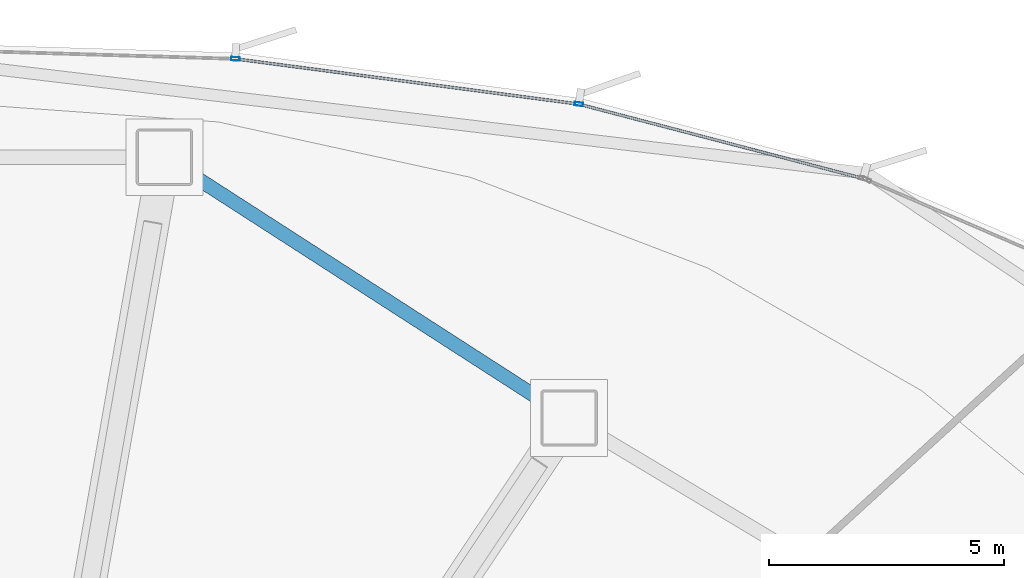
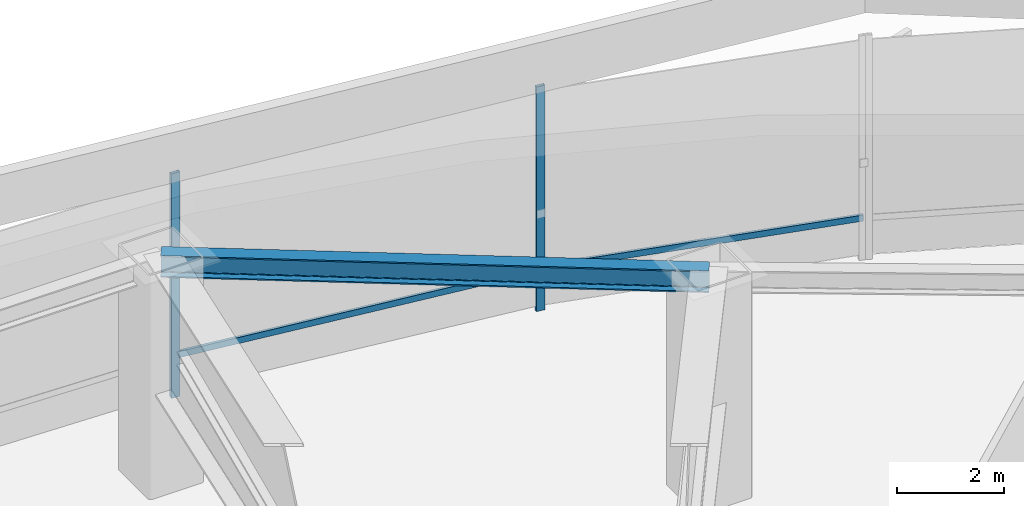
# One storey, part 17 of 36: 4 members, 1 beam, 1 element without a shape of its own.
"""IFC4 building model written with IfcOpenShell, lengths in metres."""

from ifc_helpers import new_model, si_unit, direction, frame, origin, origin_2d, place, context, subcontext, project, spatial, hollow_rectangle, i_section, extrude, source, transform, mapped, material, layer, layer_set, material_profile, profile_set, type_object, element, aggregate, save


model = new_model("IFC4")

# Units and contexts
model_context = context("Model", 3, precision=1e-05, world=origin(), true_north=direction((0.0, 1.0)))
body_context = subcontext(model_context, "Body", "Model", "MODEL_VIEW")
ifc_project = project(units=[si_unit("LENGTHUNIT", "METRE"), si_unit("AREAUNIT", "SQUARE_METRE"), si_unit("VOLUMEUNIT", "CUBIC_METRE"), si_unit("PLANEANGLEUNIT", "RADIAN"), si_unit("MASSUNIT", "GRAM", prefix="KILO"), si_unit("THERMODYNAMICTEMPERATUREUNIT", "KELVIN")], contexts=[model_context])

# Site, building, storey
site_placement = place(None, origin())
site = spatial("IfcSite", under=ifc_project, at=site_placement, CompositionType="ELEMENT")
building_placement = place(site_placement, origin())
building = spatial("IfcBuilding", under=site, at=building_placement, Name="Kethvar Cultural Tower", CompositionType="ELEMENT")
storey_placement = place(building_placement, frame((0.0, 0.0, 24.0)))
storey = spatial("IfcBuildingStorey", under=building, at=storey_placement, Name="L05", CompositionType="ELEMENT", Elevation=24.0)

# Beam
ifc_material_1 = material(Name="Steel S355J2", Category="steel")
ifc_material_profile_1 = material_profile(ifc_material_1, i_section(OverallWidth=0.300048828125, OverallDepth=0.5, WebThickness=0.014404296875, FlangeThickness=0.028076171875, FilletRadius=0.027099609375, at=origin_2d()), Name="Steel S355J2 — HEB500")
ifc_profile_set_1 = profile_set([ifc_material_profile_1], Name="Steel S355J2 — HEB500")
beam_type = type_object("IfcBeamType", Name="BM-SP500", PredefinedType="SPANDREL", material=ifc_profile_set_1)
shared_shape_1 = source(origin(), body_context, "Body", "SweptSolid", [
    extrude(i_section(OverallWidth=0.300048828125, OverallDepth=0.5, WebThickness=0.014404296875, FlangeThickness=0.028076171875, FilletRadius=0.027099609375, at=origin_2d()), origin(), (0.0, 0.0, 1.0), 10.260009765625),
])
beam_placement = place(storey_placement, frame((59.824951171875, 47.293212890625, 4.865966796875), z_axis=(-0.840635315951, 0.541601574569, 0.0), x_axis=(-0.541601574569, -0.840635315951, 0.0)))
element("IfcBeam", 1, at=beam_placement, inside=storey, type_object=beam_type, Name="L05 Podium Ring Beam 03", PredefinedType="SPANDREL", context=body_context, shape_type="MappedRepresentation", body=[
    mapped(shared_shape_1, transform((0.0, 0.0, 0.0), scale=1.0)),
])

# Curtain wall, members
ifc_material_2 = material(Name="Aluminium 6063-T6", Category="aluminium")
ifc_layer = layer(ifc_material_2, 0.179931640625, Name="Aluminium 6063-T6", Category="aluminium")
ifc_layer_set = layer_set([ifc_layer], Name="Aluminium 6063-T6 (180 mm)")
curtain_wall_type = type_object("IfcCurtainWallType", Name="CW-SYS-01-POD", PredefinedType="NOTDEFINED", material=ifc_layer_set)
curtain_wall_placement = place(storey_placement, origin())
curtain_wall = element("IfcCurtainWall", 2, at=curtain_wall_placement, inside=storey, type_object=curtain_wall_type, Name="L05 Curtain Wall Run 02", PredefinedType="NOTDEFINED")
ifc_material_profile_2 = material_profile(ifc_material_2, hollow_rectangle(XDim=0.06005859375, YDim=0.139892578125, WallThickness=0.0048828125, at=origin_2d()), Name="Aluminium 6063-T6 — RHS140x60x5")
ifc_profile_set_2 = profile_set([ifc_material_profile_2], Name="Aluminium 6063-T6 — RHS140x60x5")
member_type_1 = type_object("IfcMemberType", Name="CW-SYS-01-POD-TRN", PredefinedType="USERDEFINED", material=ifc_profile_set_2)
shared_shape_2 = source(origin(), body_context, "Body", "SweptSolid", [
    extrude(hollow_rectangle(XDim=0.06005859375, YDim=0.139892578125, WallThickness=0.0048828125, at=origin_2d()), origin(), (0.0, 0.0, 1.0), 7.28955078125),
])
member_1_placement = place(storey_placement, frame((59.9794921875, 53.98876953125, 0.949951171875), z_axis=(-0.9914326226, 0.13061912128, 0.0), x_axis=(-0.13061912128, -0.9914326226, 0.0)))
member_1 = element("IfcMember", 3, at=member_1_placement, type_object=member_type_1, Name="CW-L05-R02 Transom 2", ObjectType="TRANSOM", PredefinedType="USERDEFINED", context=body_context, shape_type="MappedRepresentation", body=[
    mapped(shared_shape_2, transform((0.0, 0.0, 0.0), scale=1.0)),
])
shared_shape_3 = source(origin(), body_context, "Body", "SweptSolid", [
    extrude(hollow_rectangle(XDim=0.06005859375, YDim=0.139892578125, WallThickness=0.0048828125, at=origin_2d()), origin(), (0.0, 0.0, 1.0), 6.221435546875),
])
member_2_placement = place(storey_placement, frame((66.088134765625, 52.39697265625, 0.949951171875), z_axis=(-0.967458727109, 0.253028874519, 0.0), x_axis=(-0.253028874519, -0.967458727109, 0.0)))
member_2 = element("IfcMember", 4, at=member_2_placement, type_object=member_type_1, Name="CW-L05-R02 Transom 1", ObjectType="TRANSOM", PredefinedType="USERDEFINED", context=body_context, shape_type="MappedRepresentation", body=[
    mapped(shared_shape_3, transform((0.0, 0.0, 0.0), scale=1.0)),
])
ifc_material_profile_3 = material_profile(ifc_material_2, hollow_rectangle(XDim=0.074951171875, YDim=0.179931640625, WallThickness=0.006103515625, at=origin_2d()), Name="Aluminium 6063-T6 — RHS180x75x6")
ifc_profile_set_3 = profile_set([ifc_material_profile_3], Name="Aluminium 6063-T6 — RHS180x75x6")
member_type_2 = type_object("IfcMemberType", Name="CW-SYS-01-POD-MUL", PredefinedType="MULLION", material=ifc_profile_set_3)
shared_shape_4 = source(origin(), body_context, "Body", "SweptSolid", [
    extrude(hollow_rectangle(XDim=0.074951171875, YDim=0.179931640625, WallThickness=0.006103515625, at=origin_2d()), origin(), (0.0, 0.0, 1.0), 5.1201171875),
])
member_3_placement = place(storey_placement, frame((60.032958984375, 53.981689453125, 0.0), z_axis=(0.0, 0.0, 1.0), x_axis=(-0.130647319086, -0.991428907192, 0.0)))
member_3 = element("IfcMember", 5, at=member_3_placement, type_object=member_type_2, Name="CW-L05-R02 Mullion 2", PredefinedType="MULLION", context=body_context, shape_type="MappedRepresentation", body=[
    mapped(shared_shape_4, transform((0.0, 0.0, 0.0), scale=1.0)),
])
member_4_placement = place(storey_placement, frame((52.7119140625, 54.947021484375, 0.0), z_axis=(0.0, 0.0, 1.0), x_axis=(-0.030137272261, -0.999545769248, 0.0)))
member_4 = element("IfcMember", 6, at=member_4_placement, type_object=member_type_2, Name="CW-L05-R02 Mullion 3", PredefinedType="MULLION", context=body_context, shape_type="MappedRepresentation", body=[
    mapped(shared_shape_4, transform((0.0, 0.0, 0.0), scale=1.0)),
])
aggregate(curtain_wall, [member_3, member_4, member_2, member_1])

save(model, "model.ifc")
